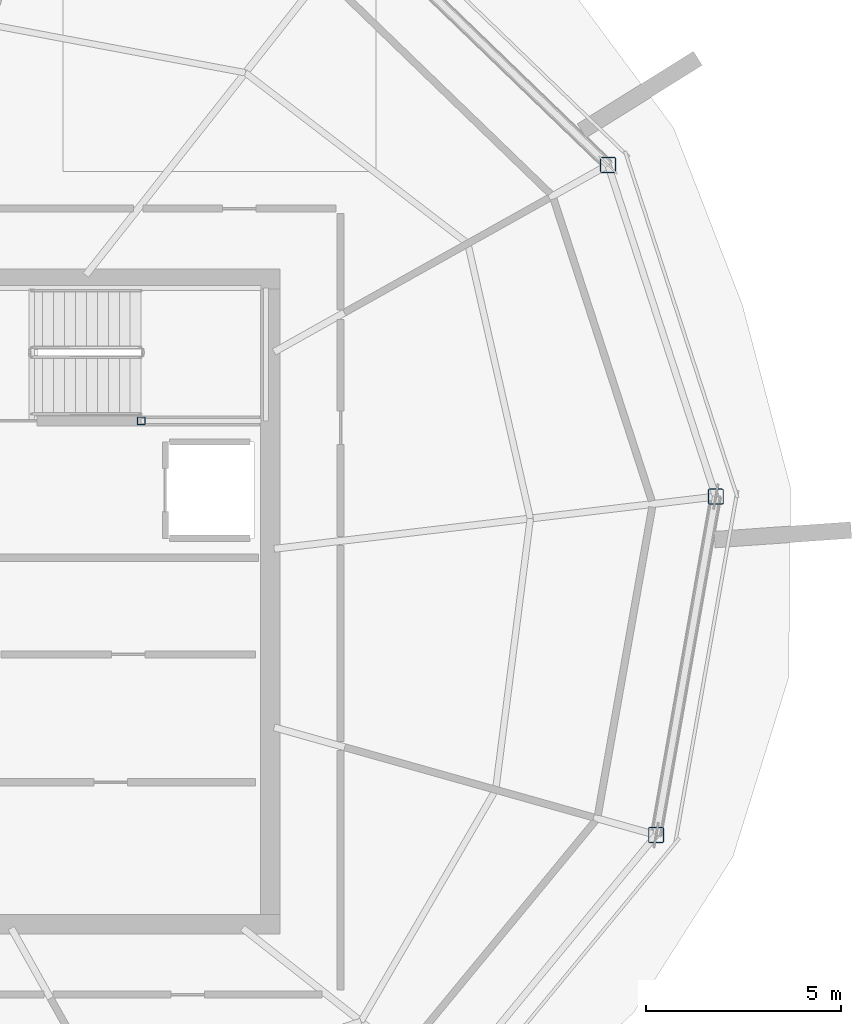
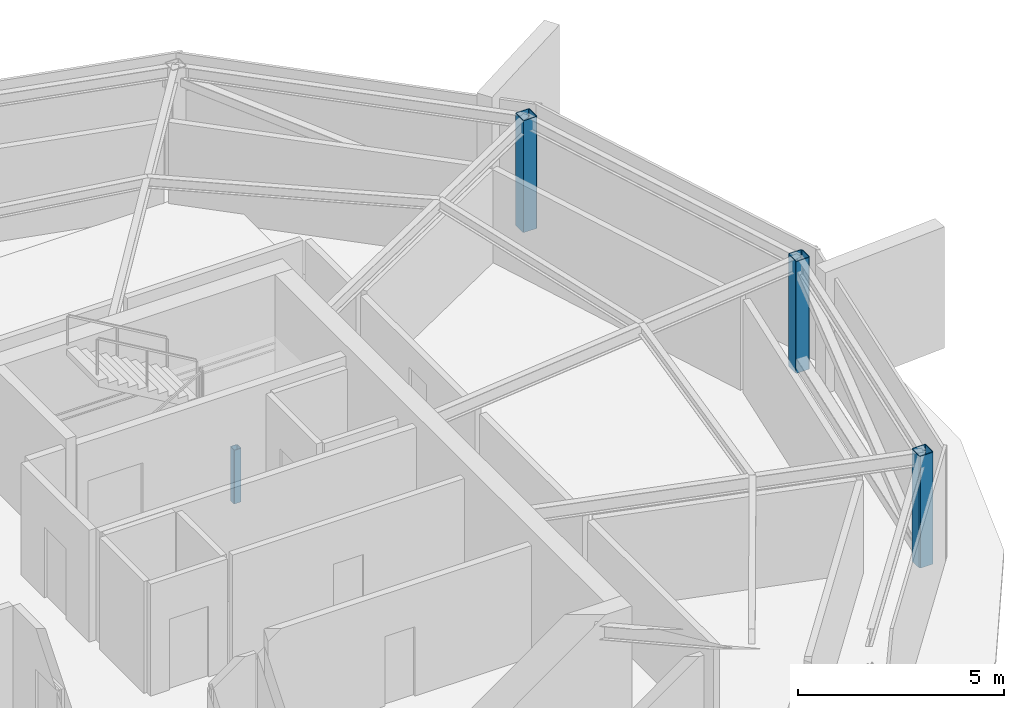
# One storey, part 3 of 10: 4 columns.
"""IFC4 building model written with IfcOpenShell, lengths in metres."""

from ifc_helpers import new_model, si_unit, direction, frame, origin, origin_2d, place, context, subcontext, project, spatial, hollow_rectangle, extrude, material, material_profile, profile_set, type_object, element, save


model = new_model("IFC4")

# Units and contexts
model_context = context("Model", 3, precision=1e-05, world=origin(), true_north=direction((0.0, 1.0)))
body_context = subcontext(model_context, "Body", "Model", "MODEL_VIEW")
ifc_project = project(units=[si_unit("LENGTHUNIT", "METRE"), si_unit("AREAUNIT", "SQUARE_METRE"), si_unit("VOLUMEUNIT", "CUBIC_METRE"), si_unit("PLANEANGLEUNIT", "RADIAN"), si_unit("MASSUNIT", "GRAM", prefix="KILO")], contexts=[model_context])

# Site, building, storey
site_placement = place(None, origin())
site = spatial("IfcSite", under=ifc_project, at=site_placement, CompositionType="ELEMENT")
building_placement = place(site_placement, origin())
building = spatial("IfcBuilding", under=site, at=building_placement, Name="Kazma Halo Residences", CompositionType="ELEMENT")
storey_placement = place(building_placement, frame((0.0, 0.0, 366.800048828125)))
storey = spatial("IfcBuildingStorey", under=building, at=storey_placement, Name="L92", CompositionType="ELEMENT", Elevation=366.800048828125)

# Columns
ifc_material = material(Name="Steel S355", Category="steel")
ifc_material_profile_1 = material_profile(ifc_material, hollow_rectangle(XDim=0.39990234375, YDim=0.39990234375, WallThickness=0.02001953125, InnerFilletRadius=0.02001953125, OuterFilletRadius=0.0400390625, at=origin_2d()), Name="SHS400x400x20")
ifc_profile_set_1 = profile_set([ifc_material_profile_1], Name="Steel S355")
column_type_1 = type_object("IfcColumnType", Name="COL-CROWN-SHS400", PredefinedType="COLUMN", material=ifc_profile_set_1)
for number, where, z_axis, x_axis, name in (
    (1, (67.940673828125, 53.167236328125, 0.0), (0.0, 0.0, 1.0), (1.0, 0.0, 0.0), "L92 CROWN FRAME perimeter column P01"),
    (2, (69.169921875, 36.029541015625, 0.0), (0.0, 0.0, 1.0), (1.0, 0.0, 0.0), "L92 CROWN FRAME perimeter column P15"),
    (3, (70.6962890625, 44.686279296875, 0.0), (0.0, 0.0, 1.0), (1.0, 0.0, 0.0), "L92 CROWN FRAME perimeter column P16"),
):
    element("IfcColumn", number, at=place(storey_placement, frame(where, z_axis=z_axis, x_axis=x_axis)), inside=storey, type_object=column_type_1, Name=name, PredefinedType="COLUMN", context=body_context, shape_type="SweptSolid", body=[
        extrude(hollow_rectangle(XDim=0.39990234375, YDim=0.39990234375, WallThickness=0.02001953125, InnerFilletRadius=0.02001953125, OuterFilletRadius=0.0400390625, at=origin_2d()), origin(), (0.0, 0.0, 1.0), 3.320068359375),
    ])
ifc_material_profile_2 = material_profile(ifc_material, hollow_rectangle(XDim=0.199951171875, YDim=0.199951171875, WallThickness=0.010009765625, InnerFilletRadius=0.010009765625, OuterFilletRadius=0.02001953125, at=origin_2d()), Name="SHS200x200x10")
ifc_profile_set_2 = profile_set([ifc_material_profile_2], Name="Steel S355")
column_type_2 = type_object("IfcColumnType", Name="COL-LP-SHS200", PredefinedType="COLUMN", material=ifc_profile_set_2)
column_placement = place(storey_placement, frame((56.0, 46.6201171875, 0.0), z_axis=(0.0, 0.0, 1.0), x_axis=(1.0, 0.0, 0.0)))
element("IfcColumn", 4, at=column_placement, inside=storey, type_object=column_type_2, Name="L92 ST-02 landing pilaster 1", PredefinedType="COLUMN", context=body_context, shape_type="SweptSolid", body=[
    extrude(hollow_rectangle(XDim=0.199951171875, YDim=0.199951171875, WallThickness=0.010009765625, InnerFilletRadius=0.010009765625, OuterFilletRadius=0.02001953125, at=origin_2d()), origin(), (0.0, 0.0, 1.0), 1.594970703125),
])

save(model, "model.ifc")
